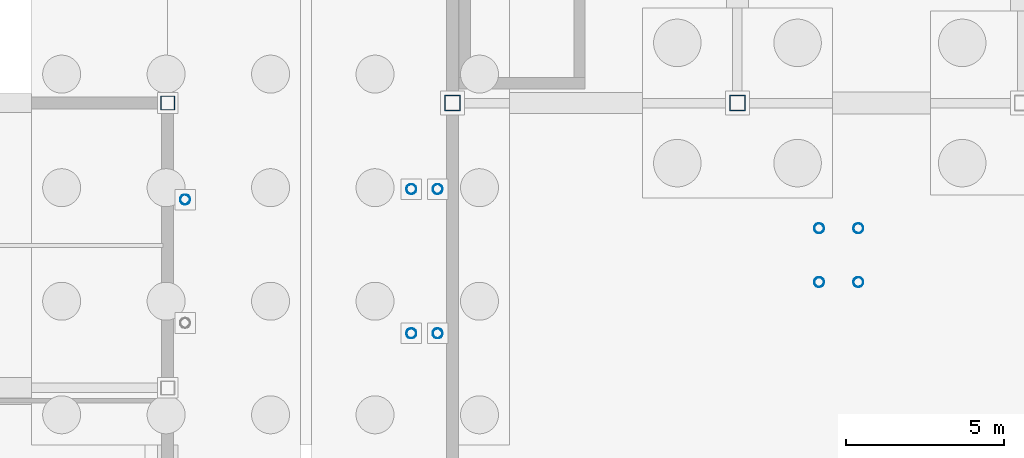
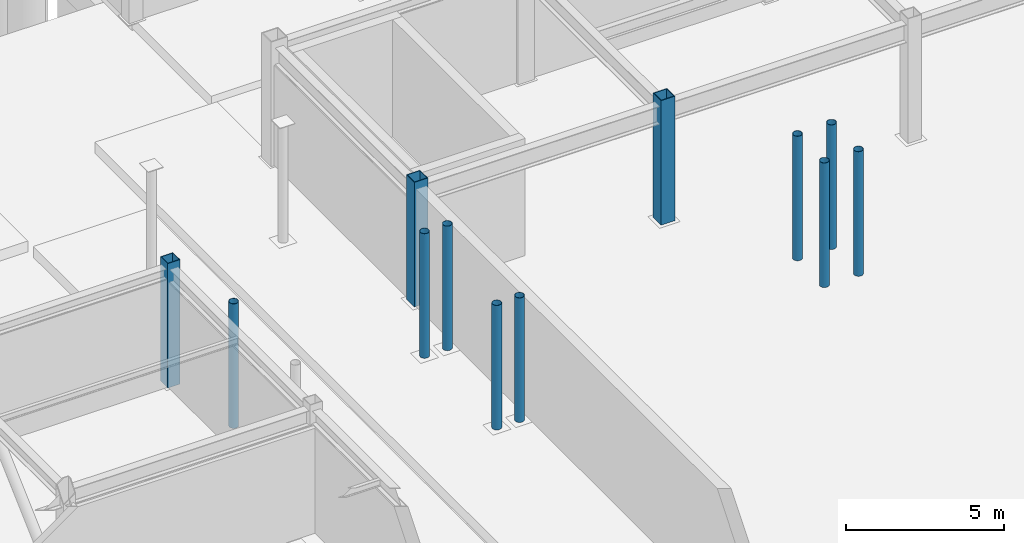
# One storey, part 16 of 74: 12 columns.
"""IFC4 building model written with IfcOpenShell, lengths in metres."""

from ifc_helpers import new_model, si_unit, direction, frame, origin, origin_2d, place, context, subcontext, project, spatial, hollow_rectangle, hollow_circle, extrude, material, material_profile, profile_set, type_object, element, save


model = new_model("IFC4")

# Units and contexts
model_context = context("Model", 3, precision=1e-05, world=origin(), true_north=direction((0.0, 1.0)))
body_context = subcontext(model_context, "Body", "Model", "MODEL_VIEW")
ifc_project = project(units=[si_unit("LENGTHUNIT", "METRE"), si_unit("AREAUNIT", "SQUARE_METRE"), si_unit("VOLUMEUNIT", "CUBIC_METRE"), si_unit("PLANEANGLEUNIT", "RADIAN"), si_unit("MASSUNIT", "GRAM", prefix="KILO")], contexts=[model_context])

# Site, building, storey
site_placement = place(None, origin())
site = spatial("IfcSite", under=ifc_project, at=site_placement, CompositionType="ELEMENT")
building_placement = place(site_placement, origin())
building = spatial("IfcBuilding", under=site, at=building_placement, Name="Suzunagisa Mobility Hub", CompositionType="ELEMENT")
storey_placement = place(building_placement, frame((0.0, 0.0, -4.800048828125)))
storey = spatial("IfcBuildingStorey", under=building, at=storey_placement, Name="B1", CompositionType="ELEMENT", Elevation=-4.800048828125)

# Columns
ifc_material = material(Name="Steel SN490B", Category="steel")
ifc_material_profile_1 = material_profile(ifc_material, hollow_circle(Radius=0.1591796875, WallThickness=0.01025390625, at=origin_2d()), Name="CHS-318.5x10.3")
ifc_profile_set_1 = profile_set([ifc_material_profile_1], Name="Steel SN490B")
column_type_1 = type_object("IfcColumnType", Name="Steel Column CL-09 CHS-318.5x10.3", PredefinedType="COLUMN", material=ifc_profile_set_1)
for number, where, z_axis, x_axis, name in (
    (1, (36.550048828125, 58.949951171875, 0.0), (0.0, 0.0, 1.0), (1.0, 0.0, 0.0), "B1 Column 91"),
    (2, (43.699951171875, 54.719970703125, 0.0), (0.0, 0.0, 1.0), (1.0, 0.0, 0.0), "B1 Column 103"),
    (3, (43.699951171875, 59.280029296875, 0.0), (0.0, 0.0, 1.0), (1.0, 0.0, 0.0), "B1 Column 104"),
    (4, (44.530029296875, 54.719970703125, 0.0), (0.0, 0.0, 1.0), (1.0, 0.0, 0.0), "B1 Column 109"),
    (5, (44.530029296875, 59.280029296875, 0.0), (0.0, 0.0, 1.0), (1.0, 0.0, 0.0), "B1 Column 110"),
    (6, (56.580078125, 56.340087890625, 0.0), (0.0, 0.0, 1.0), (1.0, 0.0, 0.0), "B1 Concourse Stair Pier CS-01-1"),
    (7, (57.820068359375, 56.340087890625, 0.0), (0.0, 0.0, 1.0), (1.0, 0.0, 0.0), "B1 Concourse Stair Pier CS-01-2"),
    (8, (56.580078125, 58.0400390625, 0.0), (0.0, 0.0, 1.0), (1.0, 0.0, 0.0), "B1 Concourse Stair Pier CS-01-3"),
    (9, (57.820068359375, 58.0400390625, 0.0), (0.0, 0.0, 1.0), (1.0, 0.0, 0.0), "B1 Concourse Stair Pier CS-01-4"),
):
    element("IfcColumn", number, at=place(storey_placement, frame(where, z_axis=z_axis, x_axis=x_axis)), inside=storey, type_object=column_type_1, Name=name, PredefinedType="COLUMN", context=body_context, shape_type="SweptSolid", body=[
        extrude(hollow_circle(Radius=0.1591796875, WallThickness=0.01025390625, at=origin_2d()), origin(), (0.0, 0.0, 1.0), 4.800048828125),
    ])
ifc_material_profile_2 = material_profile(ifc_material, hollow_rectangle(XDim=0.5, YDim=0.5, WallThickness=0.02490234375, at=origin_2d()), Name="BCR-500x500x25")
ifc_profile_set_2 = profile_set([ifc_material_profile_2], Name="Steel SN490B")
column_type_2 = type_object("IfcColumnType", Name="Steel Column CL-11 BCR-500x500x25", PredefinedType="COLUMN", material=ifc_profile_set_2)
for number, where, z_axis, x_axis, name in (
    (10, (45.0, 62.0, 0.0), (0.0, 0.0, 1.0), (1.0, 0.0, 0.0), "B1 Column 116"),
    (11, (54.0, 62.0, 0.0), (0.0, 0.0, 1.0), (1.0, 0.0, 0.0), "B1 Column 127"),
):
    element("IfcColumn", number, at=place(storey_placement, frame(where, z_axis=z_axis, x_axis=x_axis)), inside=storey, type_object=column_type_2, Name=name, PredefinedType="COLUMN", context=body_context, shape_type="SweptSolid", body=[
        extrude(hollow_rectangle(XDim=0.5, YDim=0.5, WallThickness=0.02490234375, at=origin_2d()), origin(), (0.0, 0.0, 1.0), 4.800048828125),
    ])
ifc_material_profile_3 = material_profile(ifc_material, hollow_rectangle(XDim=0.449951171875, YDim=0.449951171875, WallThickness=0.02197265625, at=origin_2d()), Name="BCR-450x450x22")
ifc_profile_set_3 = profile_set([ifc_material_profile_3], Name="Steel SN490B")
column_type_3 = type_object("IfcColumnType", Name="Steel Column CL-17 BCR-450x450x22", PredefinedType="COLUMN", material=ifc_profile_set_3)
column_placement = place(storey_placement, frame((36.0, 62.0, 0.0), z_axis=(0.0, 0.0, 1.0), x_axis=(1.0, 0.0, 0.0)))
element("IfcColumn", 12, at=column_placement, inside=storey, type_object=column_type_3, Name="B1 Column 84", PredefinedType="COLUMN", context=body_context, shape_type="SweptSolid", body=[
    extrude(hollow_rectangle(XDim=0.449951171875, YDim=0.449951171875, WallThickness=0.02197265625, at=origin_2d()), origin(), (0.0, 0.0, 1.0), 4.800048828125),
])

save(model, "model.ifc")
